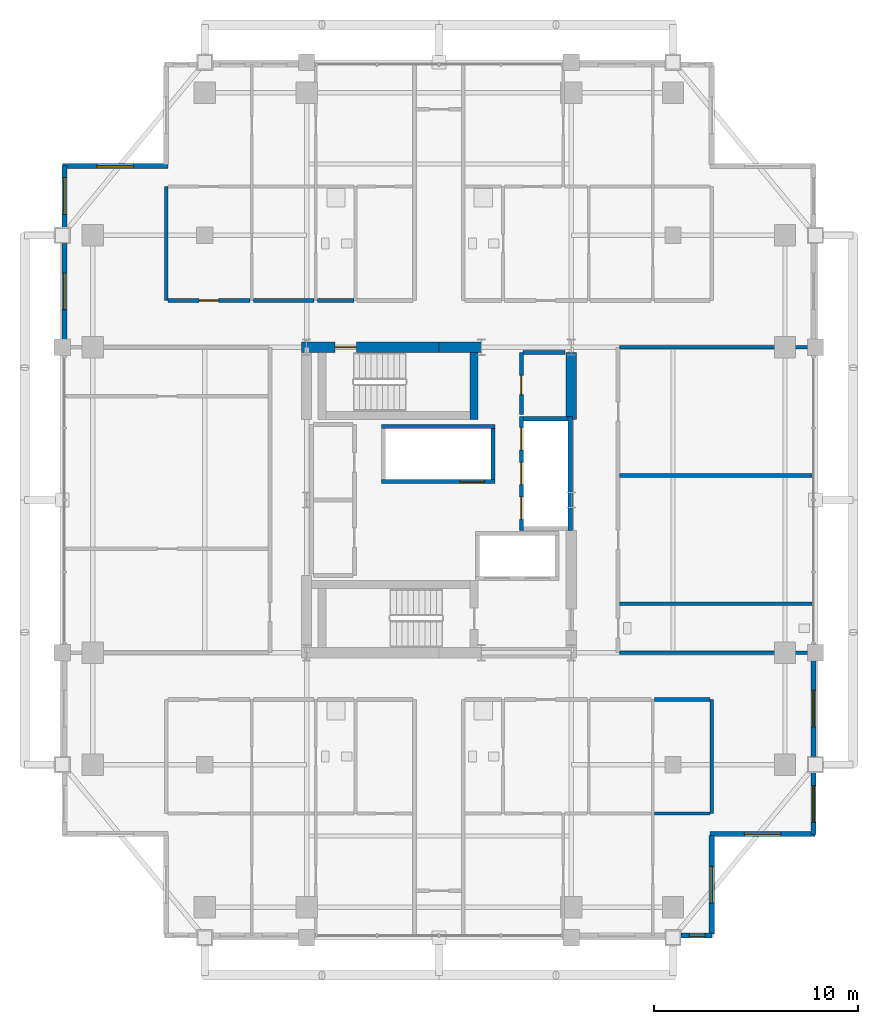
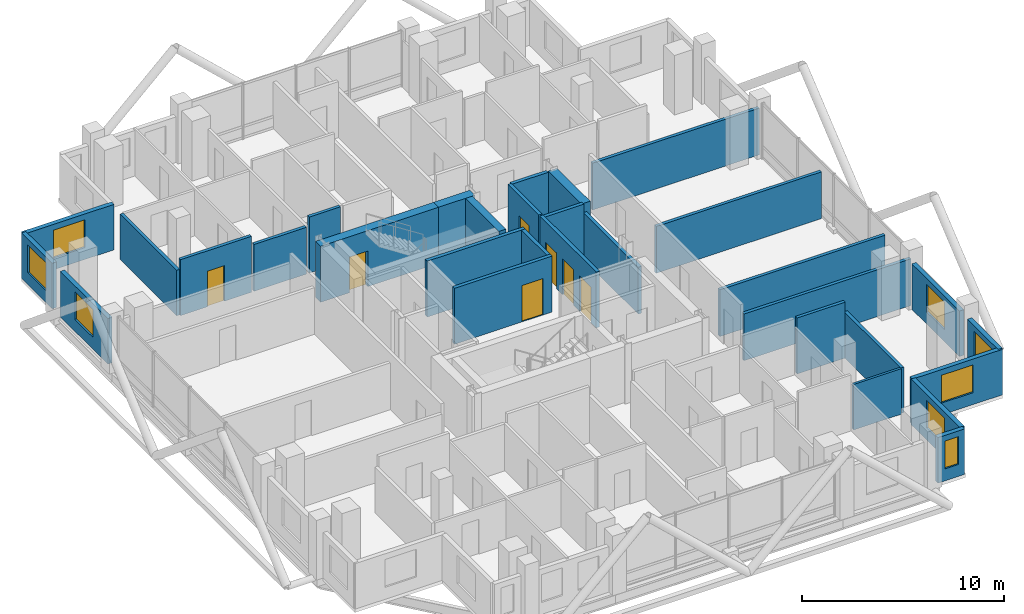
# One storey, part 22 of 26: 31 walls, 8 windows, 7 doors, 15 openings.
"""IFC4 building model written with IfcOpenShell, lengths in metres."""

from ifc_helpers import new_model, si_unit, direction, frame, frame_2d, origin, place, context, subcontext, project, spatial, rectangle, extrude, material, layer, layer_set, type_object, element, fill, save


model = new_model("IFC4")

# Units and contexts
model_context = context("Model", 3, precision=1e-05, world=origin(), true_north=direction((0.0, 1.0)))
body_context = subcontext(model_context, "Body", "Model", "MODEL_VIEW")
ifc_project = project(units=[si_unit("LENGTHUNIT", "METRE"), si_unit("AREAUNIT", "SQUARE_METRE"), si_unit("VOLUMEUNIT", "CUBIC_METRE"), si_unit("PLANEANGLEUNIT", "RADIAN"), si_unit("MASSUNIT", "GRAM", prefix="KILO")], contexts=[model_context])

# Site, building, storey
site_placement = place(None, origin())
site = spatial("IfcSite", under=ifc_project, at=site_placement, CompositionType="ELEMENT")
building_placement = place(site_placement, origin())
building = spatial("IfcBuilding", under=site, at=building_placement, Name="Barlavira Tower and Art Museum", CompositionType="ELEMENT")
storey_placement = place(building_placement, frame((0.0, 0.0, 198.0)))
storey = spatial("IfcBuildingStorey", under=building, at=storey_placement, Name="L51", CompositionType="ELEMENT", Elevation=198.0)

# Wall, opening, door
ifc_material_1 = material(Name="Concrete C60", Category="concrete")
ifc_layer_1 = layer(ifc_material_1, 0.5, Name="Concrete C60")
ifc_layer_set_1 = layer_set([ifc_layer_1], Name="Concrete C60")
wall_type_1 = type_object("IfcWallType", Name="Core Structural Shear Wall 500 Concrete C60", PredefinedType="SHEAR", material=ifc_layer_set_1)
wall_1_placement = place(storey_placement, frame((-6.75, 7.5, 0.0), z_axis=(0.0, 0.0, 1.0), x_axis=(1.0, 0.0, 0.0)))
wall_1 = element("IfcWall", 1, at=wall_1_placement, inside=storey, type_object=wall_type_1, Name="L51 Core Shear Wall CS-NW", PredefinedType="SHEAR", context=body_context, shape_type="SweptSolid", body=[
    extrude(rectangle(XDim=6.75, YDim=0.5, at=frame_2d((3.375, 0.0))), origin(), (0.0, 0.0, 1.0), 3.3798828125),
])
opening_1_placement = place(wall_1_placement, frame((1.64990234375, 0.0, 0.0)))
opening_1 = element("IfcOpeningElement", 2, at=opening_1_placement, cuts=wall_1, Name="Opening FD-90", PredefinedType="OPENING", context=body_context, shape_type="SweptSolid", body=[
    extrude(rectangle(XDim=1.050048828125, YDim=2.14990234375, at=frame_2d((0.52490234375, 1.074951171875))), frame((0.0, 0.260009765625, 0.0), z_axis=(0.0, -1.0, 0.0), x_axis=(1.0, 0.0, 0.0)), (0.0, 0.0, 1.0), 0.52001953125),
])
ifc_material_2 = material(Name="Brushed stainless steel", Category="steel")
door_type_1 = type_object("IfcDoorType", Name="Stair and Refuge Fire Door 1050x2150 FD90S", OperationType="NOTDEFINED", PredefinedType="DOOR", material=ifc_material_2)
door_1_placement = place(opening_1_placement, origin())
door_1 = element("IfcDoor", 3, at=door_1_placement, inside=storey, type_object=door_type_1, Name="L51 Stair ST-T2 Fire Door", OperationType="SINGLE_SWING_LEFT", OverallHeight=2.14990234375, OverallWidth=1.050048828125, PredefinedType="DOOR", context=body_context, shape_type="SweptSolid", body=[
    extrude(rectangle(XDim=1.050048828125, YDim=2.14990234375, at=frame_2d((0.52490234375, 1.074951171875))), frame((0.0, 0.02490234375, 0.0), z_axis=(0.0, -1.0, 0.0), x_axis=(1.0, 0.0, 0.0)), (0.0, 0.0, 1.0), 0.050048828125),
])
fill(opening_1, door_1)

# Walls
wall_2_placement = place(storey_placement, frame((0.0, 7.5, 0.0), z_axis=(0.0, 0.0, 1.0), x_axis=(1.0, 0.0, 0.0)))
element("IfcWall", 4, at=wall_2_placement, inside=storey, type_object=wall_type_1, Name="L51 Core Shear Wall CS-EN", PredefinedType="SHEAR", context=body_context, shape_type="SweptSolid", body=[
    extrude(rectangle(XDim=2.080078125, YDim=0.5, at=frame_2d((1.0400390625, 0.0))), origin(), (0.0, 0.0, 1.0), 3.3798828125),
])
wall_3_placement = place(storey_placement, frame((6.5, 3.949951171875, 0.0), z_axis=(0.0, 0.0, 1.0), x_axis=(0.0, 1.0, 0.0)))
element("IfcWall", 5, at=wall_3_placement, inside=storey, type_object=wall_type_1, Name="L51 Core Shear Wall CS-E2", PredefinedType="SHEAR", context=body_context, shape_type="SweptSolid", body=[
    extrude(rectangle(XDim=3.300048828125, YDim=0.5, at=frame_2d((1.64990234375, 0.0))), origin(), (0.0, 0.0, 1.0), 3.3798828125),
])

# Wall, openings, doors
ifc_material_3 = material(Name="Autoclaved aerated concrete masonry", Category="masonry")
ifc_layer_2 = layer(ifc_material_3, 0.199951171875, Name="Autoclaved aerated concrete masonry")
ifc_layer_set_2 = layer_set([ifc_layer_2], Name="Autoclaved aerated concrete masonry")
wall_type_2 = type_object("IfcWallType", Name="Fire Compartment and Shaft Wall 200", PredefinedType="SOLIDWALL", material=ifc_layer_set_2)
wall_4_placement = place(storey_placement, frame((4.050048828125, -1.489990234375, 0.0), z_axis=(0.0, 0.0, 1.0), x_axis=(0.0, 1.0, 0.0)))
wall_4 = element("IfcWall", 6, at=wall_4_placement, inside=storey, type_object=wall_type_2, Name="L51 Mid-Rise Lift Front Shaft Wall", PredefinedType="SOLIDWALL", context=body_context, shape_type="SweptSolid", body=[
    extrude(rectangle(XDim=5.580078125, YDim=0.199951171875, at=frame_2d((2.7900390625, 0.0))), origin(), (0.0, 0.0, 1.0), 3.3798828125),
])
opening_2_placement = place(wall_4_placement, frame((0.5400390625, 0.0, 0.0)))
opening_2 = element("IfcOpeningElement", 7, at=opening_2_placement, cuts=wall_4, Name="Opening LD-P", PredefinedType="OPENING", context=body_context, shape_type="SweptSolid", body=[
    extrude(rectangle(XDim=1.10009765625, YDim=2.14990234375, at=frame_2d((0.550048828125, 1.074951171875))), frame((0.0, 0.10986328125, 0.0), z_axis=(0.0, -1.0, 0.0), x_axis=(1.0, 0.0, 0.0)), (0.0, 0.0, 1.0), 0.219970703125),
])
opening_3_placement = place(wall_4_placement, frame((2.239990234375, 0.0, 0.0)))
opening_3 = element("IfcOpeningElement", 8, at=opening_3_placement, cuts=wall_4, Name="Opening LD-P", PredefinedType="OPENING", context=body_context, shape_type="SweptSolid", body=[
    extrude(rectangle(XDim=1.10009765625, YDim=2.14990234375, at=frame_2d((0.550048828125, 1.074951171875))), frame((0.0, 0.10986328125, 0.0), z_axis=(0.0, -1.0, 0.0), x_axis=(1.0, 0.0, 0.0)), (0.0, 0.0, 1.0), 0.219970703125),
])
opening_4_placement = place(wall_4_placement, frame((3.93994140625, 0.0, 0.0)))
opening_4 = element("IfcOpeningElement", 9, at=opening_4_placement, cuts=wall_4, Name="Opening LD-P", PredefinedType="OPENING", context=body_context, shape_type="SweptSolid", body=[
    extrude(rectangle(XDim=1.10009765625, YDim=2.14990234375, at=frame_2d((0.550048828125, 1.074951171875))), frame((0.0, 0.10986328125, 0.0), z_axis=(0.0, -1.0, 0.0), x_axis=(1.0, 0.0, 0.0)), (0.0, 0.0, 1.0), 0.219970703125),
])
door_type_2 = type_object("IfcDoorType", Name="Passenger Lift Sliding Landing Door 1100x2150 FD60", OperationType="NOTDEFINED", PredefinedType="DOOR", material=ifc_material_2)
door_2_placement = place(opening_2_placement, origin())
door_2 = element("IfcDoor", 10, at=door_2_placement, inside=storey, type_object=door_type_2, Name="L51 Lift PM1 Sliding Landing Door", OperationType="DOUBLE_DOOR_SLIDING", OverallHeight=2.14990234375, OverallWidth=1.10009765625, PredefinedType="DOOR", context=body_context, shape_type="SweptSolid", body=[
    extrude(rectangle(XDim=1.10009765625, YDim=2.14990234375, at=frame_2d((0.550048828125, 1.074951171875))), frame((0.0, 0.02490234375, 0.0), z_axis=(0.0, -1.0, 0.0), x_axis=(1.0, 0.0, 0.0)), (0.0, 0.0, 1.0), 0.050048828125),
])
fill(opening_2, door_2)
door_3_placement = place(opening_3_placement, origin())
door_3 = element("IfcDoor", 11, at=door_3_placement, inside=storey, type_object=door_type_2, Name="L51 Lift PM2 Sliding Landing Door", OperationType="DOUBLE_DOOR_SLIDING", OverallHeight=2.14990234375, OverallWidth=1.10009765625, PredefinedType="DOOR", context=body_context, shape_type="SweptSolid", body=[
    extrude(rectangle(XDim=1.10009765625, YDim=2.14990234375, at=frame_2d((0.550048828125, 1.074951171875))), frame((0.0, 0.02490234375, 0.0), z_axis=(0.0, -1.0, 0.0), x_axis=(1.0, 0.0, 0.0)), (0.0, 0.0, 1.0), 0.050048828125),
])
fill(opening_3, door_3)
door_4_placement = place(opening_4_placement, origin())
door_4 = element("IfcDoor", 12, at=door_4_placement, inside=storey, type_object=door_type_2, Name="L51 Lift PM3 Sliding Landing Door", OperationType="DOUBLE_DOOR_SLIDING", OverallHeight=2.14990234375, OverallWidth=1.10009765625, PredefinedType="DOOR", context=body_context, shape_type="SweptSolid", body=[
    extrude(rectangle(XDim=1.10009765625, YDim=2.14990234375, at=frame_2d((0.550048828125, 1.074951171875))), frame((0.0, 0.02490234375, 0.0), z_axis=(0.0, -1.0, 0.0), x_axis=(1.0, 0.0, 0.0)), (0.0, 0.0, 1.0), 0.050048828125),
])
fill(opening_4, door_4)

# Walls
wall_5_placement = place(storey_placement, frame((6.449951171875, -1.489990234375, 0.0), z_axis=(0.0, 0.0, 1.0), x_axis=(0.0, 1.0, 0.0)))
element("IfcWall", 13, at=wall_5_placement, inside=storey, type_object=wall_type_2, Name="L51 Mid-Rise Lift Back Shaft Wall", PredefinedType="SOLIDWALL", context=body_context, shape_type="SweptSolid", body=[
    extrude(rectangle(XDim=5.580078125, YDim=0.199951171875, at=frame_2d((2.7900390625, 0.0))), origin(), (0.0, 0.0, 1.0), 2.825927734375),
])
wall_6_placement = place(storey_placement, frame((4.14990234375, 3.989990234375, 0.0), z_axis=(0.0, 0.0, 1.0), x_axis=(1.0, 0.0, 0.0)))
element("IfcWall", 14, at=wall_6_placement, inside=storey, type_object=wall_type_2, Name="L51 Mid-Rise Lift North Shaft Wall", PredefinedType="SOLIDWALL", context=body_context, shape_type="SweptSolid", body=[
    extrude(rectangle(XDim=2.2001953125, YDim=0.199951171875, at=frame_2d((1.10009765625, 0.0))), origin(), (0.0, 0.0, 1.0), 3.3798828125),
])

# Wall, opening, door
wall_7_placement = place(storey_placement, frame((-2.820068359375, 0.89990234375, 0.0), z_axis=(0.0, 0.0, 1.0), x_axis=(1.0, 0.0, 0.0)))
wall_7 = element("IfcWall", 15, at=wall_7_placement, inside=storey, type_object=wall_type_2, Name="L51 High-Rise & Service Lift Front Wall", PredefinedType="SOLIDWALL", context=body_context, shape_type="SweptSolid", body=[
    extrude(rectangle(XDim=5.580078125, YDim=0.199951171875, at=frame_2d((2.7900390625, 0.0))), origin(), (0.0, 0.0, 1.0), 3.3798828125),
])
opening_5_placement = place(wall_7_placement, frame((3.860107421875, 0.0, 0.0)))
opening_5 = element("IfcOpeningElement", 16, at=opening_5_placement, cuts=wall_7, Name="Opening LD-F", PredefinedType="OPENING", context=body_context, shape_type="SweptSolid", body=[
    extrude(rectangle(XDim=1.199951171875, YDim=2.199951171875, at=frame_2d((0.60009765625, 1.10009765625))), frame((0.0, 0.10986328125, 0.0), z_axis=(0.0, -1.0, 0.0), x_axis=(1.0, 0.0, 0.0)), (0.0, 0.0, 1.0), 0.219970703125),
])
door_type_3 = type_object("IfcDoorType", Name="Firefighting and Service Lift Sliding Door 1200x2200 FD120", OperationType="NOTDEFINED", PredefinedType="DOOR", material=ifc_material_2)
door_5_placement = place(opening_5_placement, origin())
door_5 = element("IfcDoor", 17, at=door_5_placement, inside=storey, type_object=door_type_3, Name="L51 Stretcher Service Lift SL1 Sliding Door", OperationType="DOUBLE_DOOR_SLIDING", OverallHeight=2.199951171875, OverallWidth=1.199951171875, PredefinedType="DOOR", context=body_context, shape_type="SweptSolid", body=[
    extrude(rectangle(XDim=1.199951171875, YDim=2.199951171875, at=frame_2d((0.60009765625, 1.10009765625))), frame((0.0, 0.02490234375, 0.0), z_axis=(0.0, -1.0, 0.0), x_axis=(1.0, 0.0, 0.0)), (0.0, 0.0, 1.0), 0.050048828125),
])
fill(opening_5, door_5)

# Walls
wall_8_placement = place(storey_placement, frame((-2.820068359375, 3.60009765625, 0.0), z_axis=(0.0, 0.0, 1.0), x_axis=(1.0, 0.0, 0.0)))
element("IfcWall", 18, at=wall_8_placement, inside=storey, type_object=wall_type_2, Name="L51 High-Rise & Service Lift Back Wall", PredefinedType="SOLIDWALL", context=body_context, shape_type="SweptSolid", body=[
    extrude(rectangle(XDim=5.580078125, YDim=0.199951171875, at=frame_2d((2.7900390625, 0.0))), origin(), (0.0, 0.0, 1.0), 3.3798828125),
])
wall_9_placement = place(storey_placement, frame((2.659912109375, 1.0, 0.0), z_axis=(0.0, 0.0, 1.0), x_axis=(0.0, 1.0, 0.0)))
element("IfcWall", 19, at=wall_9_placement, inside=storey, type_object=wall_type_2, Name="L51 High-Rise & Service Lift East Wall", PredefinedType="SOLIDWALL", context=body_context, shape_type="SweptSolid", body=[
    extrude(rectangle(XDim=2.5, YDim=0.199951171875, at=frame_2d((1.25, 0.0))), origin(), (0.0, 0.0, 1.0), 3.3798828125),
])

# Wall, opening, door
wall_10_placement = place(storey_placement, frame((4.050048828125, 4.199951171875, 0.0), z_axis=(0.0, 0.0, 1.0), x_axis=(0.0, 1.0, 0.0)))
wall_10 = element("IfcWall", 20, at=wall_10_placement, inside=storey, type_object=wall_type_2, Name="L51 Partition Wall 18", PredefinedType="SOLIDWALL", context=body_context, shape_type="SweptSolid", body=[
    extrude(rectangle(XDim=3.050048828125, YDim=0.199951171875, at=frame_2d((1.52490234375, 0.0))), origin(), (0.0, 0.0, 1.0), 3.3798828125),
])
opening_6_placement = place(wall_10_placement, frame((0.97509765625, 0.0, 0.0)))
opening_6 = element("IfcOpeningElement", 21, at=opening_6_placement, cuts=wall_10, Name="Opening FD-60", PredefinedType="OPENING", context=body_context, shape_type="SweptSolid", body=[
    extrude(rectangle(XDim=0.949951171875, YDim=2.14990234375, at=frame_2d((0.47509765625, 1.074951171875))), frame((0.0, 0.10986328125, 0.0), z_axis=(0.0, -1.0, 0.0), x_axis=(1.0, 0.0, 0.0)), (0.0, 0.0, 1.0), 0.219970703125),
])
door_type_4 = type_object("IfcDoorType", Name="Apartment Entrance and Riser Fire Door 950x2150 FD60S", OperationType="NOTDEFINED", PredefinedType="DOOR", material=ifc_material_2)
door_6_placement = place(opening_6_placement, origin())
door_6 = element("IfcDoor", 22, at=door_6_placement, inside=storey, type_object=door_type_4, Name="Combined Electrical and Telecom Plant Room Door", OperationType="SINGLE_SWING_LEFT", OverallHeight=2.14990234375, OverallWidth=0.949951171875, PredefinedType="DOOR", context=body_context, shape_type="SweptSolid", body=[
    extrude(rectangle(XDim=0.949951171875, YDim=2.14990234375, at=frame_2d((0.47509765625, 1.074951171875))), frame((0.0, 0.02490234375, 0.0), z_axis=(0.0, -1.0, 0.0), x_axis=(1.0, 0.0, 0.0)), (0.0, 0.0, 1.0), 0.050048828125),
])
fill(opening_6, door_6)

# Walls
wall_11_placement = place(storey_placement, frame((4.1298828125, 7.25, 0.0), z_axis=(0.0, 0.0, 1.0), x_axis=(1.0, 0.0, 0.0)))
element("IfcWall", 23, at=wall_11_placement, inside=storey, type_object=wall_type_2, Name="L51 Partition Wall 55", PredefinedType="SOLIDWALL", context=body_context, shape_type="SweptSolid", body=[
    extrude(rectangle(XDim=2.070068359375, YDim=0.199951171875, at=frame_2d((1.03515625, 0.0))), origin(), (0.0, 0.0, 1.0), 3.3798828125),
])
ifc_material_4 = material(Name="Gypsum acoustic stud partition", Category="gypsum")
ifc_layer_3 = layer(ifc_material_4, 0.179931640625, Name="Gypsum acoustic stud partition")
ifc_layer_set_3 = layer_set([ifc_layer_3], Name="Gypsum acoustic stud partition")
wall_type_3 = type_object("IfcWallType", Name="Inter-Tenancy Party Partition Wall 180", PredefinedType="PARTITIONING", material=ifc_layer_set_3)
for number, where, z_axis, x_axis, name in (
    (24, (-13.39990234375, 9.800048828125, 0.0), (0.0, 0.0, 1.0), (0.0, 1.0, 0.0), "L51 Partition Wall 2"),
    (25, (13.39990234375, -15.39990234375, 0.0), (0.0, 0.0, 1.0), (0.0, 1.0, 0.0), "L51 Partition Wall 26"),
):
    element("IfcWall", number, at=place(storey_placement, frame(where, z_axis=z_axis, x_axis=x_axis)), inside=storey, type_object=wall_type_3, Name=name, PredefinedType="PARTITIONING", context=body_context, shape_type="SweptSolid", body=[
        extrude(rectangle(XDim=5.599853515625, YDim=0.179931640625, at=frame_2d((2.7998046875, 0.0))), origin(), (0.0, 0.0, 1.0), 2.748046875),
    ])
wall_12_placement = place(storey_placement, frame((10.580078125, -9.800048828125, 0.0), z_axis=(0.0, 0.0, 1.0), x_axis=(1.0, 0.0, 0.0)))
element("IfcWall", 26, at=wall_12_placement, inside=storey, type_object=wall_type_3, Name="L51 Partition Wall 45", PredefinedType="PARTITIONING", context=body_context, shape_type="SweptSolid", body=[
    extrude(rectangle(XDim=2.739990234375, YDim=0.179931640625, at=frame_2d((1.3701171875, 0.0))), origin(), (0.0, 0.0, 1.0), 3.3798828125),
])
wall_13_placement = place(storey_placement, frame((8.8798828125, -7.5, 0.0), z_axis=(0.0, 0.0, 1.0), x_axis=(1.0, 0.0, 0.0)))
element("IfcWall", 27, at=wall_13_placement, inside=storey, type_object=wall_type_3, Name="L51 Partition Wall 47", PredefinedType="PARTITIONING", context=body_context, shape_type="SweptSolid", body=[
    extrude(rectangle(XDim=9.52001953125, YDim=0.179931640625, at=frame_2d((4.760009765625, 0.0))), origin(), (0.0, 0.0, 1.0), 2.825927734375),
])
for number, where, z_axis, x_axis, name in (
    (28, (8.8798828125, -5.10009765625, 0.0), (0.0, 0.0, 1.0), (1.0, 0.0, 0.0), "L51 Partition Wall 48"),
    (29, (8.8798828125, 1.199951171875, 0.0), (0.0, 0.0, 1.0), (1.0, 0.0, 0.0), "L51 Partition Wall 52"),
):
    element("IfcWall", number, at=place(storey_placement, frame(where, z_axis=z_axis, x_axis=x_axis)), inside=storey, type_object=wall_type_3, Name=name, PredefinedType="PARTITIONING", context=body_context, shape_type="SweptSolid", body=[
        extrude(rectangle(XDim=9.440185546875, YDim=0.179931640625, at=frame_2d((4.72021484375, 0.0))), origin(), (0.0, 0.0, 1.0), 2.825927734375),
    ])
wall_14_placement = place(storey_placement, frame((8.8798828125, 7.5, 0.0), z_axis=(0.0, 0.0, 1.0), x_axis=(1.0, 0.0, 0.0)))
element("IfcWall", 30, at=wall_14_placement, inside=storey, type_object=wall_type_3, Name="L51 Partition Wall 57", PredefinedType="PARTITIONING", context=body_context, shape_type="SweptSolid", body=[
    extrude(rectangle(XDim=9.52001953125, YDim=0.179931640625, at=frame_2d((4.760009765625, 0.0))), origin(), (0.0, 0.0, 1.0), 2.825927734375),
])

# Wall, opening, door
wall_15_placement = place(storey_placement, frame((-13.320068359375, 9.800048828125, 0.0), z_axis=(0.0, 0.0, 1.0), x_axis=(1.0, 0.0, 0.0)))
wall_15 = element("IfcWall", 31, at=wall_15_placement, inside=storey, type_object=wall_type_3, Name="L51 Partition Wall 58", PredefinedType="PARTITIONING", context=body_context, shape_type="SweptSolid", body=[
    extrude(rectangle(XDim=4.0400390625, YDim=0.179931640625, at=frame_2d((2.02001953125, 0.0))), origin(), (0.0, 0.0, 1.0), 3.3798828125),
])
opening_7_placement = place(wall_15_placement, frame((1.544921875, 0.0, 0.0)))
opening_7 = element("IfcOpeningElement", 32, at=opening_7_placement, cuts=wall_15, Name="Opening FD-60", PredefinedType="OPENING", context=body_context, shape_type="SweptSolid", body=[
    extrude(rectangle(XDim=0.949951171875, YDim=2.14990234375, at=frame_2d((0.47509765625, 1.074951171875))), frame((0.0, 0.10009765625, 0.0), z_axis=(0.0, -1.0, 0.0), x_axis=(1.0, 0.0, 0.0)), (0.0, 0.0, 1.0), 0.199951171875),
])
door_7_placement = place(opening_7_placement, origin())
door_7 = element("IfcDoor", 33, at=door_7_placement, inside=storey, type_object=door_type_4, Name="Apartment Entrance Hall NW1 Door", OperationType="SINGLE_SWING_RIGHT", OverallHeight=2.14990234375, OverallWidth=0.949951171875, PredefinedType="DOOR", context=body_context, shape_type="SweptSolid", body=[
    extrude(rectangle(XDim=0.949951171875, YDim=2.14990234375, at=frame_2d((0.47509765625, 1.074951171875))), frame((0.0, 0.02490234375, 0.0), z_axis=(0.0, -1.0, 0.0), x_axis=(1.0, 0.0, 0.0)), (0.0, 0.0, 1.0), 0.050048828125),
])
fill(opening_7, door_7)

# Walls
wall_16_placement = place(storey_placement, frame((-9.1201171875, 9.800048828125, 0.0), z_axis=(0.0, 0.0, 1.0), x_axis=(1.0, 0.0, 0.0)))
element("IfcWall", 34, at=wall_16_placement, inside=storey, type_object=wall_type_3, Name="L51 Partition Wall 59", PredefinedType="PARTITIONING", context=body_context, shape_type="SweptSolid", body=[
    extrude(rectangle(XDim=2.990234375, YDim=0.179931640625, at=frame_2d((1.4951171875, 0.0))), origin(), (0.0, 0.0, 1.0), 2.825927734375),
])
wall_17_placement = place(storey_placement, frame((-5.969970703125, 9.800048828125, 0.0), z_axis=(0.0, 0.0, 1.0), x_axis=(1.0, 0.0, 0.0)))
element("IfcWall", 35, at=wall_17_placement, inside=storey, type_object=wall_type_3, Name="L51 Partition Wall 60", PredefinedType="PARTITIONING", context=body_context, shape_type="SweptSolid", body=[
    extrude(rectangle(XDim=1.7900390625, YDim=0.179931640625, at=frame_2d((0.89501953125, 0.0))), origin(), (0.0, 0.0, 1.0), 3.3798828125),
])
ifc_layer_4 = layer(ifc_material_4, 0.139892578125, Name="Gypsum acoustic stud partition")
ifc_layer_set_4 = layer_set([ifc_layer_4], Name="Gypsum acoustic stud partition")
wall_type_4 = type_object("IfcWallType", Name="Moisture-Resistant Bathroom Partition 140", PredefinedType="PARTITIONING", material=ifc_layer_set_4)
wall_18_placement = place(storey_placement, frame((10.580078125, -15.39990234375, 0.0), z_axis=(0.0, 0.0, 1.0), x_axis=(1.0, 0.0, 0.0)))
element("IfcWall", 36, at=wall_18_placement, inside=storey, type_object=wall_type_4, Name="L51 Partition Wall 37", PredefinedType="PARTITIONING", context=body_context, shape_type="SweptSolid", body=[
    extrude(rectangle(XDim=2.739990234375, YDim=0.139892578125, at=frame_2d((1.3701171875, 0.0))), origin(), (0.0, 0.0, 1.0), 2.748046875),
])

# Wall, opening, window
ifc_material_5 = material(Name="Precast concrete C40", Category="concrete")
ifc_layer_5 = layer(ifc_material_5, 0.25, Name="Precast concrete C40")
ifc_layer_set_5 = layer_set([ifc_layer_5], Name="Precast concrete C40")
wall_type_5 = type_object("IfcWallType", Name="Notched Corner Spandrel Wall 250 Precast Concrete C40", PredefinedType="SOLIDWALL", material=ifc_layer_set_5)
wall_19_placement = place(storey_placement, frame((11.89501953125, -21.39990234375, 0.0), z_axis=(0.0, 0.0, 1.0), x_axis=(1.0, 0.0, 0.0)))
wall_19 = element("IfcWall", 37, at=wall_19_placement, inside=storey, type_object=wall_type_5, Name="L51 Coastal Facade Pier Wall CW3-L51-S-5", PredefinedType="SOLIDWALL", context=body_context, shape_type="SweptSolid", body=[
    extrude(rectangle(XDim=1.530029296875, YDim=0.25, at=frame_2d((0.76513671875, 0.0))), origin(), (0.0, 0.0, 1.0), 2.748046875),
])
opening_8_placement = place(wall_19_placement, frame((0.407958984375, 0.0, 0.719970703125)))
opening_8 = element("IfcOpeningElement", 38, at=opening_8_placement, cuts=wall_19, Name="Opening WN-06", PredefinedType="OPENING", context=body_context, shape_type="SweptSolid", body=[
    extrude(rectangle(XDim=0.760009765625, YDim=1.679931640625, at=frame_2d((0.3798828125, 0.83984375))), frame((0.0, 0.135009765625, 0.0), z_axis=(0.0, -1.0, 0.0), x_axis=(1.0, 0.0, 0.0)), (0.0, 0.0, 1.0), 0.27001953125),
])
ifc_material_6 = material(Name="Low-iron coastal laminated glass", Category="glass")
window_type_1 = type_object("IfcWindowType", Name="Recessed Narrow Pier Window 760x1680", PartitioningType="SINGLE_PANEL", PredefinedType="WINDOW", material=ifc_material_6)
window_1_placement = place(opening_8_placement, origin())
window_1 = element("IfcWindow", 39, at=window_1_placement, inside=storey, type_object=window_type_1, Name="L51 Punched Facade Window EWP-CW3-L51-S-5-1", OverallHeight=1.679931640625, OverallWidth=0.760009765625, PartitioningType="SINGLE_PANEL", PredefinedType="WINDOW", context=body_context, shape_type="SweptSolid", body=[
    extrude(rectangle(XDim=0.760009765625, YDim=1.679931640625, at=frame_2d((0.3798828125, 0.83984375))), frame((0.0, 0.030029296875, 0.0), z_axis=(0.0, -1.0, 0.0), x_axis=(1.0, 0.0, 0.0)), (0.0, 0.0, 1.0), 0.06005859375),
])
fill(opening_8, window_1)

wall_20_placement = place(storey_placement, frame((-18.39990234375, 16.425048828125, 0.0), z_axis=(0.0, 0.0, 1.0), x_axis=(0.0, -1.0, 0.0)))
wall_20 = element("IfcWall", 40, at=wall_20_placement, inside=storey, type_object=wall_type_5, Name="L51 Coastal Facade Pier Wall CW3-L51-W-1", PredefinedType="SOLIDWALL", context=body_context, shape_type="SweptSolid", body=[
    extrude(rectangle(XDim=3.030029296875, YDim=0.25, at=frame_2d((1.51513671875, 0.0))), origin(), (0.0, 0.0, 1.0), 2.748046875),
])
opening_9_placement = place(wall_20_placement, frame((0.593017578125, 0.0, 0.719970703125)))
opening_9 = element("IfcOpeningElement", 41, at=opening_9_placement, cuts=wall_20, Name="Opening WN-01", PredefinedType="OPENING", context=body_context, shape_type="SweptSolid", body=[
    extrude(rectangle(XDim=1.800048828125, YDim=1.679931640625, at=frame_2d((0.89990234375, 0.83984375))), frame((0.0, 0.135009765625, 0.0), z_axis=(0.0, -1.0, 0.0), x_axis=(1.0, 0.0, 0.0)), (0.0, 0.0, 1.0), 0.27001953125),
])
window_type_2 = type_object("IfcWindowType", Name="Recessed Notch Corner Punch Window 1800x1680", PartitioningType="SINGLE_PANEL", PredefinedType="WINDOW", material=ifc_material_6)
window_2_placement = place(opening_9_placement, origin())
window_2 = element("IfcWindow", 42, at=window_2_placement, inside=storey, type_object=window_type_2, Name="L51 Punched Facade Window EWP-CW3-L51-W-1-1", OverallHeight=1.679931640625, OverallWidth=1.800048828125, PartitioningType="SINGLE_PANEL", PredefinedType="WINDOW", context=body_context, shape_type="SweptSolid", body=[
    extrude(rectangle(XDim=1.800048828125, YDim=1.679931640625, at=frame_2d((0.89990234375, 0.83984375))), frame((0.0, 0.030029296875, 0.0), z_axis=(0.0, -1.0, 0.0), x_axis=(1.0, 0.0, 0.0)), (0.0, 0.0, 1.0), 0.06005859375),
])
fill(opening_9, window_2)

wall_21_placement = place(storey_placement, frame((-18.39990234375, 12.60498046875, 0.0), z_axis=(0.0, 0.0, 1.0), x_axis=(0.0, -1.0, 0.0)))
wall_21 = element("IfcWall", 43, at=wall_21_placement, inside=storey, type_object=wall_type_5, Name="L51 Coastal Facade Pier Wall CW3-L51-W-2", PredefinedType="SOLIDWALL", context=body_context, shape_type="SweptSolid", body=[
    extrude(rectangle(XDim=4.7099609375, YDim=0.25, at=frame_2d((2.35498046875, 0.0))), origin(), (0.0, 0.0, 1.0), 2.748046875),
])
opening_10_placement = place(wall_21_placement, frame((1.455078125, 0.0, 0.719970703125)))
opening_10 = element("IfcOpeningElement", 44, at=opening_10_placement, cuts=wall_21, Name="Opening WN-01", PredefinedType="OPENING", context=body_context, shape_type="SweptSolid", body=[
    extrude(rectangle(XDim=1.800048828125, YDim=1.679931640625, at=frame_2d((0.89990234375, 0.83984375))), frame((0.0, 0.135009765625, 0.0), z_axis=(0.0, -1.0, 0.0), x_axis=(1.0, 0.0, 0.0)), (0.0, 0.0, 1.0), 0.27001953125),
])
window_3_placement = place(opening_10_placement, origin())
window_3 = element("IfcWindow", 45, at=window_3_placement, inside=storey, type_object=window_type_2, Name="L51 Punched Facade Window EWP-CW3-L51-W-2-1", OverallHeight=1.679931640625, OverallWidth=1.800048828125, PartitioningType="SINGLE_PANEL", PredefinedType="WINDOW", context=body_context, shape_type="SweptSolid", body=[
    extrude(rectangle(XDim=1.800048828125, YDim=1.679931640625, at=frame_2d((0.89990234375, 0.83984375))), frame((0.0, 0.030029296875, 0.0), z_axis=(0.0, -1.0, 0.0), x_axis=(1.0, 0.0, 0.0)), (0.0, 0.0, 1.0), 0.06005859375),
])
fill(opening_10, window_3)

wall_22_placement = place(storey_placement, frame((18.39990234375, -16.425048828125, 0.0), z_axis=(0.0, 0.0, 1.0), x_axis=(0.0, 1.0, 0.0)))
wall_22 = element("IfcWall", 46, at=wall_22_placement, inside=storey, type_object=wall_type_5, Name="L51 Coastal Facade Pier Wall CW3-L51-E-1", PredefinedType="SOLIDWALL", context=body_context, shape_type="SweptSolid", body=[
    extrude(rectangle(XDim=3.030029296875, YDim=0.25, at=frame_2d((1.51513671875, 0.0))), origin(), (0.0, 0.0, 1.0), 2.748046875),
])
opening_11_placement = place(wall_22_placement, frame((0.593017578125, 0.0, 0.719970703125)))
opening_11 = element("IfcOpeningElement", 47, at=opening_11_placement, cuts=wall_22, Name="Opening WN-01", PredefinedType="OPENING", context=body_context, shape_type="SweptSolid", body=[
    extrude(rectangle(XDim=1.800048828125, YDim=1.679931640625, at=frame_2d((0.89990234375, 0.83984375))), frame((0.0, 0.135009765625, 0.0), z_axis=(0.0, -1.0, 0.0), x_axis=(1.0, 0.0, 0.0)), (0.0, 0.0, 1.0), 0.27001953125),
])
window_4_placement = place(opening_11_placement, origin())
window_4 = element("IfcWindow", 48, at=window_4_placement, inside=storey, type_object=window_type_2, Name="L51 Punched Facade Window EWP-CW3-L51-E-1-1", OverallHeight=1.679931640625, OverallWidth=1.800048828125, PartitioningType="SINGLE_PANEL", PredefinedType="WINDOW", context=body_context, shape_type="SweptSolid", body=[
    extrude(rectangle(XDim=1.800048828125, YDim=1.679931640625, at=frame_2d((0.89990234375, 0.83984375))), frame((0.0, 0.030029296875, 0.0), z_axis=(0.0, -1.0, 0.0), x_axis=(1.0, 0.0, 0.0)), (0.0, 0.0, 1.0), 0.06005859375),
])
fill(opening_11, window_4)

wall_23_placement = place(storey_placement, frame((18.39990234375, -12.60498046875, 0.0), z_axis=(0.0, 0.0, 1.0), x_axis=(0.0, 1.0, 0.0)))
wall_23 = element("IfcWall", 49, at=wall_23_placement, inside=storey, type_object=wall_type_5, Name="L51 Coastal Facade Pier Wall CW3-L51-E-2", PredefinedType="SOLIDWALL", context=body_context, shape_type="SweptSolid", body=[
    extrude(rectangle(XDim=4.7099609375, YDim=0.25, at=frame_2d((2.35498046875, 0.0))), origin(), (0.0, 0.0, 1.0), 2.748046875),
])
opening_12_placement = place(wall_23_placement, frame((1.455078125, 0.0, 0.719970703125)))
opening_12 = element("IfcOpeningElement", 50, at=opening_12_placement, cuts=wall_23, Name="Opening WN-01", PredefinedType="OPENING", context=body_context, shape_type="SweptSolid", body=[
    extrude(rectangle(XDim=1.800048828125, YDim=1.679931640625, at=frame_2d((0.89990234375, 0.83984375))), frame((0.0, 0.135009765625, 0.0), z_axis=(0.0, -1.0, 0.0), x_axis=(1.0, 0.0, 0.0)), (0.0, 0.0, 1.0), 0.27001953125),
])
window_5_placement = place(opening_12_placement, origin())
window_5 = element("IfcWindow", 51, at=window_5_placement, inside=storey, type_object=window_type_2, Name="L51 Punched Facade Window EWP-CW3-L51-E-2-1", OverallHeight=1.679931640625, OverallWidth=1.800048828125, PartitioningType="SINGLE_PANEL", PredefinedType="WINDOW", context=body_context, shape_type="SweptSolid", body=[
    extrude(rectangle(XDim=1.800048828125, YDim=1.679931640625, at=frame_2d((0.89990234375, 0.83984375))), frame((0.0, 0.030029296875, 0.0), z_axis=(0.0, -1.0, 0.0), x_axis=(1.0, 0.0, 0.0)), (0.0, 0.0, 1.0), 0.06005859375),
])
fill(opening_12, window_5)

wall_24_placement = place(storey_placement, frame((13.39990234375, -21.320068359375, 0.0), z_axis=(0.0, 0.0, 1.0), x_axis=(0.0, 1.0, 0.0)))
wall_24 = element("IfcWall", 52, at=wall_24_placement, inside=storey, type_object=wall_type_5, Name="L51 Notch Corner Wall SE1", PredefinedType="SOLIDWALL", context=body_context, shape_type="SweptSolid", body=[
    extrude(rectangle(XDim=4.840087890625, YDim=0.25, at=frame_2d((2.419921875, 0.0))), origin(), (0.0, 0.0, 1.0), 2.748046875),
])
opening_13_placement = place(wall_24_placement, frame((1.52001953125, 0.0, 0.719970703125)))
opening_13 = element("IfcOpeningElement", 53, at=opening_13_placement, cuts=wall_24, Name="Opening WN-01", PredefinedType="OPENING", context=body_context, shape_type="SweptSolid", body=[
    extrude(rectangle(XDim=1.800048828125, YDim=1.679931640625, at=frame_2d((0.89990234375, 0.83984375))), frame((0.0, 0.135009765625, 0.0), z_axis=(0.0, -1.0, 0.0), x_axis=(1.0, 0.0, 0.0)), (0.0, 0.0, 1.0), 0.27001953125),
])
window_6_placement = place(opening_13_placement, origin())
window_6 = element("IfcWindow", 54, at=window_6_placement, inside=storey, type_object=window_type_2, Name="L51 Punched Facade Window EW-NTC-L51-SE1-1", OverallHeight=1.679931640625, OverallWidth=1.800048828125, PartitioningType="SINGLE_PANEL", PredefinedType="WINDOW", context=body_context, shape_type="SweptSolid", body=[
    extrude(rectangle(XDim=1.800048828125, YDim=1.679931640625, at=frame_2d((0.89990234375, 0.83984375))), frame((0.0, 0.030029296875, 0.0), z_axis=(0.0, -1.0, 0.0), x_axis=(1.0, 0.0, 0.0)), (0.0, 0.0, 1.0), 0.06005859375),
])
fill(opening_13, window_6)

wall_25_placement = place(storey_placement, frame((13.320068359375, -16.39990234375, 0.0), z_axis=(0.0, 0.0, 1.0), x_axis=(1.0, 0.0, 0.0)))
wall_25 = element("IfcWall", 55, at=wall_25_placement, inside=storey, type_object=wall_type_5, Name="L51 Notch Corner Wall SE2", PredefinedType="SOLIDWALL", context=body_context, shape_type="SweptSolid", body=[
    extrude(rectangle(XDim=5.159912109375, YDim=0.25, at=frame_2d((2.580078125, 0.0))), origin(), (0.0, 0.0, 1.0), 2.748046875),
])
opening_14_placement = place(wall_25_placement, frame((1.679931640625, 0.0, 0.719970703125)))
opening_14 = element("IfcOpeningElement", 56, at=opening_14_placement, cuts=wall_25, Name="Opening WN-01", PredefinedType="OPENING", context=body_context, shape_type="SweptSolid", body=[
    extrude(rectangle(XDim=1.800048828125, YDim=1.679931640625, at=frame_2d((0.89990234375, 0.83984375))), frame((0.0, 0.135009765625, 0.0), z_axis=(0.0, -1.0, 0.0), x_axis=(1.0, 0.0, 0.0)), (0.0, 0.0, 1.0), 0.27001953125),
])
window_7_placement = place(opening_14_placement, origin())
window_7 = element("IfcWindow", 57, at=window_7_placement, inside=storey, type_object=window_type_2, Name="L51 Punched Facade Window EW-NTC-L51-SE2-1", OverallHeight=1.679931640625, OverallWidth=1.800048828125, PartitioningType="SINGLE_PANEL", PredefinedType="WINDOW", context=body_context, shape_type="SweptSolid", body=[
    extrude(rectangle(XDim=1.800048828125, YDim=1.679931640625, at=frame_2d((0.89990234375, 0.83984375))), frame((0.0, 0.030029296875, 0.0), z_axis=(0.0, -1.0, 0.0), x_axis=(1.0, 0.0, 0.0)), (0.0, 0.0, 1.0), 0.06005859375),
])
fill(opening_14, window_7)

wall_26_placement = place(storey_placement, frame((-13.320068359375, 16.39990234375, 0.0), z_axis=(0.0, 0.0, 1.0), x_axis=(-1.0, 0.0, 0.0)))
wall_26 = element("IfcWall", 58, at=wall_26_placement, inside=storey, type_object=wall_type_5, Name="L51 Notch Corner Wall NW2", PredefinedType="SOLIDWALL", context=body_context, shape_type="SweptSolid", body=[
    extrude(rectangle(XDim=5.159912109375, YDim=0.25, at=frame_2d((2.580078125, 0.0))), origin(), (0.0, 0.0, 1.0), 2.748046875),
])
opening_15_placement = place(wall_26_placement, frame((1.679931640625, 0.0, 0.719970703125)))
opening_15 = element("IfcOpeningElement", 59, at=opening_15_placement, cuts=wall_26, Name="Opening WN-01", PredefinedType="OPENING", context=body_context, shape_type="SweptSolid", body=[
    extrude(rectangle(XDim=1.800048828125, YDim=1.679931640625, at=frame_2d((0.89990234375, 0.83984375))), frame((0.0, 0.135009765625, 0.0), z_axis=(0.0, -1.0, 0.0), x_axis=(1.0, 0.0, 0.0)), (0.0, 0.0, 1.0), 0.27001953125),
])
window_8_placement = place(opening_15_placement, origin())
window_8 = element("IfcWindow", 60, at=window_8_placement, inside=storey, type_object=window_type_2, Name="L51 Punched Facade Window EW-NTC-L51-NW2-1", OverallHeight=1.679931640625, OverallWidth=1.800048828125, PartitioningType="SINGLE_PANEL", PredefinedType="WINDOW", context=body_context, shape_type="SweptSolid", body=[
    extrude(rectangle(XDim=1.800048828125, YDim=1.679931640625, at=frame_2d((0.89990234375, 0.83984375))), frame((0.0, 0.030029296875, 0.0), z_axis=(0.0, -1.0, 0.0), x_axis=(1.0, 0.0, 0.0)), (0.0, 0.0, 1.0), 0.06005859375),
])
fill(opening_15, window_8)

# Wall
ifc_material_7 = material(Name="Concrete C55", Category="concrete")
ifc_layer_6 = layer(ifc_material_7, 0.39990234375, Name="Concrete C55")
ifc_layer_set_6 = layer_set([ifc_layer_6], Name="Concrete C55")
wall_type_6 = type_object("IfcWallType", Name="Upper Core Shear Wall 400 Concrete C55", PredefinedType="SHEAR", material=ifc_layer_set_6)
wall_27_placement = place(storey_placement, frame((1.72998046875, 3.949951171875, 0.0), z_axis=(0.0, 0.0, 1.0), x_axis=(0.0, 1.0, 0.0)))
element("IfcWall", 61, at=wall_27_placement, inside=storey, type_object=wall_type_6, Name="L51 ST-T2 East Half-Landing Wall", PredefinedType="SHEAR", context=body_context, shape_type="SweptSolid", body=[
    extrude(rectangle(XDim=3.300048828125, YDim=0.39990234375, at=frame_2d((1.64990234375, 0.0))), origin(), (0.0, 0.0, 1.0), 3.3798828125),
])

save(model, "model.ifc")
